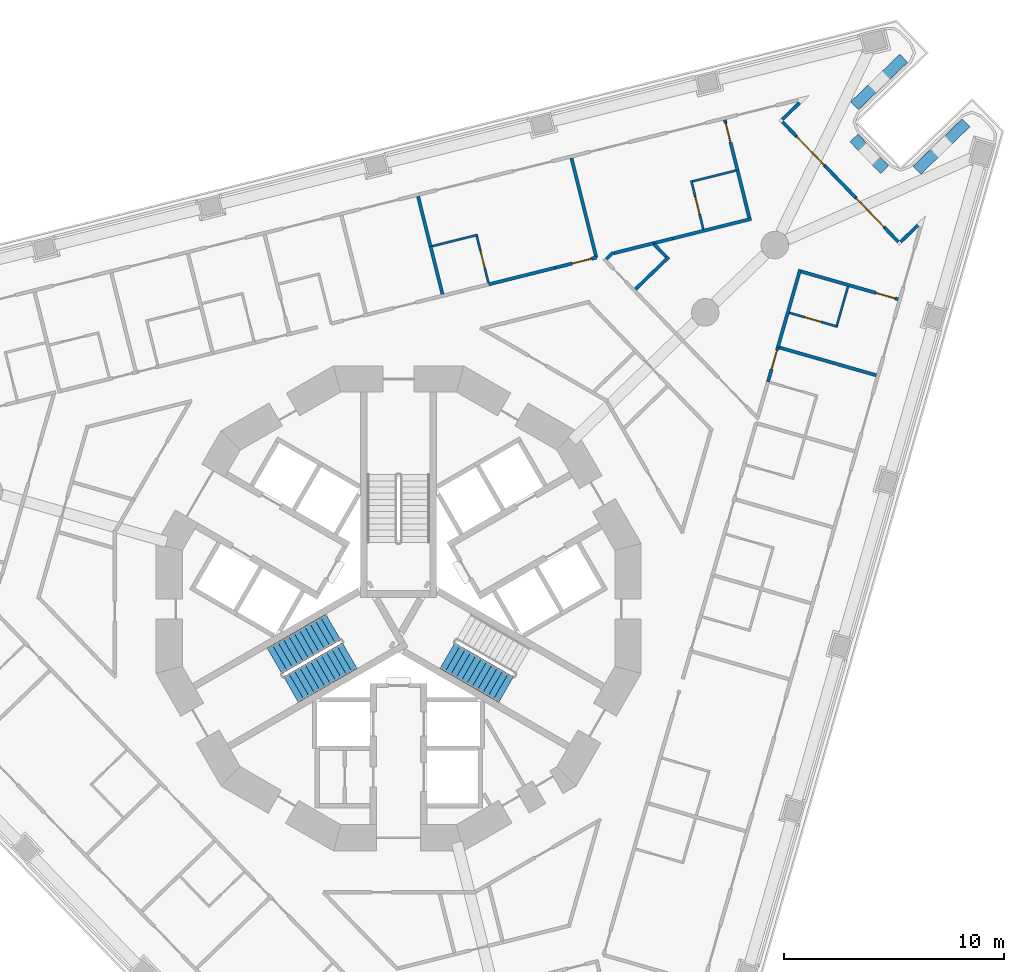
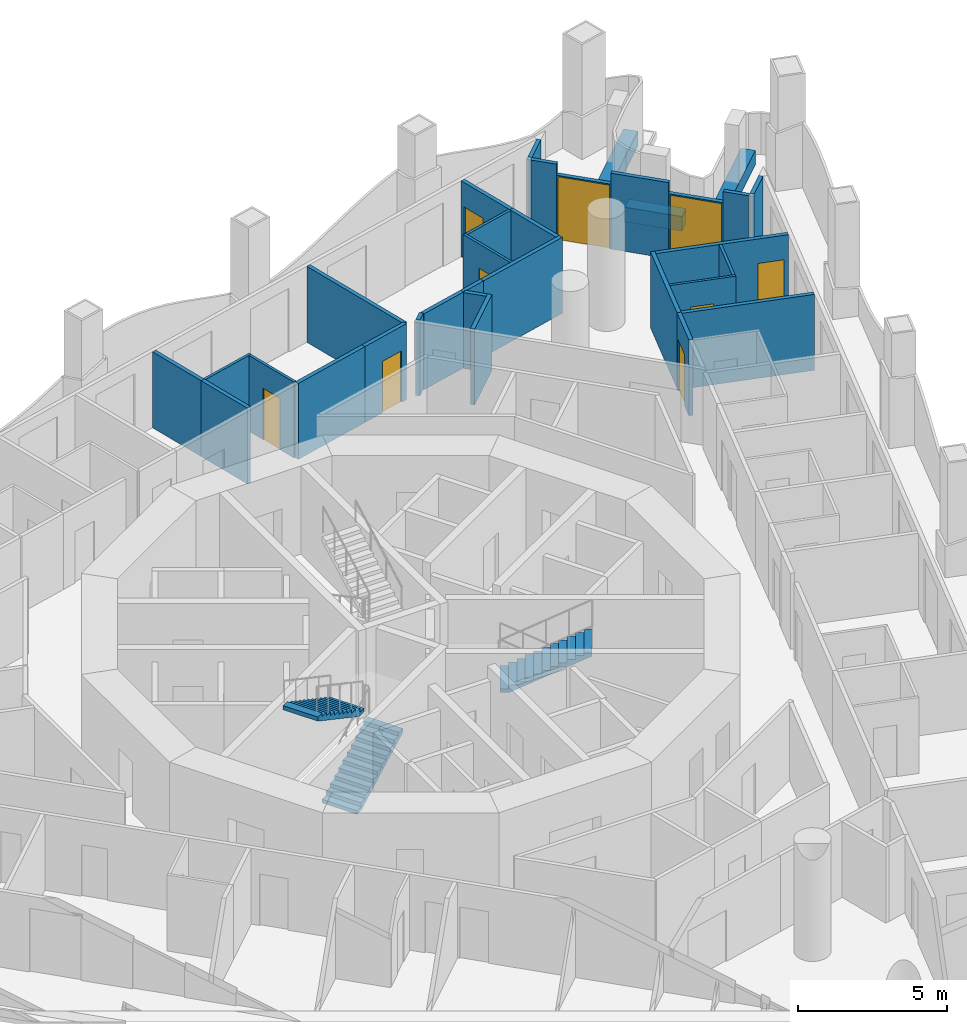
# One storey, part 11 of 20: 33 walls, 9 doors, 3 stair flights, 9 openings, 2 elements without a shape of their own.
"""IFC4 building model written with IfcOpenShell, lengths in metres."""

from ifc_helpers import new_model, si_unit, direction, frame, frame_2d, origin, place, context, subcontext, project, spatial, polyline, rectangle, outline, extrude, material, layer, layer_set, type_object, element, fill, aggregate, save


model = new_model("IFC4")

# Units and contexts
model_context = context("Model", 3, precision=1e-05, world=origin(), true_north=direction((0.0, 1.0)))
body_context = subcontext(model_context, "Body", "Model", "MODEL_VIEW")
ifc_project = project(units=[si_unit("LENGTHUNIT", "METRE"), si_unit("AREAUNIT", "SQUARE_METRE"), si_unit("VOLUMEUNIT", "CUBIC_METRE"), si_unit("PLANEANGLEUNIT", "RADIAN"), si_unit("MASSUNIT", "GRAM", prefix="KILO")], contexts=[model_context])

# Site, building, storey
site_placement = place(None, origin())
site = spatial("IfcSite", under=ifc_project, at=site_placement, CompositionType="ELEMENT")
building_placement = place(site_placement, origin())
building = spatial("IfcBuilding", under=site, at=building_placement, Name="Trine Commons Tower", CompositionType="ELEMENT")
storey_placement = place(building_placement, frame((0.0, 0.0, 116.10009765625)))
storey = spatial("IfcBuildingStorey", under=building, at=storey_placement, Name="L29", CompositionType="ELEMENT", Elevation=116.10009765625)

# Walls
ifc_material_1 = material(Name="Aluminium-framed insulated wall panel", Category="aluminium")
ifc_layer_1 = layer(ifc_material_1, 0.14990234375)
ifc_layer_set_1 = layer_set([ifc_layer_1], Name="Aluminium-framed insulated wall panel")
wall_type_1 = type_object("IfcWallType", Name="Glazed frame wall 150, EI 60", PredefinedType="SOLIDWALL", material=ifc_layer_set_1)
wall_1_placement = place(storey_placement, frame((98.3076171875, 85.552490234375, 0.0), z_axis=(0.0, 0.0, 1.0), x_axis=(-0.719251336278, -0.694749966004, 0.0)))
element("IfcWall", 1, at=wall_1_placement, inside=storey, type_object=wall_type_1, Name="Glazed frame wall R5", PredefinedType="SOLIDWALL", context=body_context, shape_type="SweptSolid", body=[
    extrude(outline(polyline([(0.1494140625, 0.074951171875), (0.1494140625, -0.074951171875), (1.235107421875, -0.074951171875), (1.235107421875, 0.074951171875), (0.1494140625, 0.074951171875)])), origin(), (0.0, 0.0, 1.0), 3.099853515625),
])
wall_2_placement = place(storey_placement, frame((97.3408203125, 84.66748046875, 0.0), z_axis=(0.0, 0.0, 1.0), x_axis=(0.694668587965, -0.719329933267, 0.0)))
element("IfcWall", 2, at=wall_2_placement, inside=storey, type_object=wall_type_1, Name="Glazed frame wall P2.1", PredefinedType="SOLIDWALL", context=body_context, shape_type="SweptSolid", body=[
    extrude(outline(polyline([(0.110107421875, -0.074951171875), (1.0, -0.074951171875), (1.0, 0.074951171875), (0.110107421875, 0.074951171875), (0.110107421875, -0.074951171875)])), origin(), (0.0, 0.0, 1.0), 3.099853515625),
])

# Wall, opening, door
wall_3_placement = place(storey_placement, frame((98.035400390625, 83.9482421875, 0.0), z_axis=(0.0, 0.0, 1.0), x_axis=(0.694665586762, -0.719332831566, 0.0)))
wall_3 = element("IfcWall", 3, at=wall_3_placement, inside=storey, type_object=wall_type_1, Name="Glazed frame wall P2.2", PredefinedType="SOLIDWALL", context=body_context, shape_type="SweptSolid", body=[
    extrude(outline(polyline([(0.0, -0.074951171875), (1.89990234375, -0.074951171875), (1.89990234375, 0.074951171875), (0.0, 0.074951171875), (0.0, -0.074951171875)])), origin(), (0.0, 0.0, 1.0), 2.64990234375),
])
opening_1_placement = place(wall_3_placement, frame((0.050048828125, 0.0, 0.0)))
opening_1 = element("IfcOpeningElement", 4, at=opening_1_placement, cuts=wall_3, Name="Opening BD-3P2-01", PredefinedType="OPENING", context=body_context, shape_type="SweptSolid", body=[
    extrude(rectangle(XDim=1.800048828125, YDim=2.60009765625, at=frame_2d((0.89990234375, 1.300048828125))), frame((0.0, 0.0849609375, 0.0), z_axis=(0.0, -1.0, 0.0), x_axis=(1.0, 0.0, 0.0)), (0.0, 0.0, 1.0), 0.169921875),
])
ifc_material_2 = material(Name="Anodised aluminium frame with double glazing", Category="aluminium")
door_type_1 = type_object("IfcDoorType", Name="Sliding loggia door 1800x2600", OperationType="SLIDING_TO_LEFT", PredefinedType="DOOR", material=ifc_material_2)
door_1_placement = place(opening_1_placement, origin())
door_1 = element("IfcDoor", 5, at=door_1_placement, inside=storey, type_object=door_type_1, Name="Loggia door P2 1", OperationType="SLIDING_TO_LEFT", OverallHeight=2.60009765625, OverallWidth=1.800048828125, PredefinedType="DOOR", context=body_context, shape_type="SweptSolid", body=[
    extrude(rectangle(XDim=1.800048828125, YDim=2.60009765625, at=frame_2d((0.89990234375, 1.300048828125))), frame((0.0, 0.02490234375, 0.0), z_axis=(0.0, -1.0, 0.0), x_axis=(1.0, 0.0, 0.0)), (0.0, 0.0, 1.0), 0.050048828125),
])
fill(opening_1, door_1)

# Wall
wall_4_placement = place(storey_placement, frame((99.35546875, 82.581298828125, 0.0), z_axis=(0.0, 0.0, 1.0), x_axis=(0.694668587965, -0.719329933267, 0.0)))
element("IfcWall", 6, at=wall_4_placement, inside=storey, type_object=wall_type_1, Name="Glazed frame wall P2.3", PredefinedType="SOLIDWALL", context=body_context, shape_type="SweptSolid", body=[
    extrude(outline(polyline([(0.0, -0.074951171875), (2.0, -0.074951171875), (2.0, 0.074951171875), (0.0, 0.074951171875), (0.0, -0.074951171875)])), origin(), (0.0, 0.0, 1.0), 3.099853515625),
])

# Wall, opening, door
wall_5_placement = place(storey_placement, frame((100.74462890625, 81.142822265625, 0.0), z_axis=(0.0, 0.0, 1.0), x_axis=(0.694599099672, -0.719397032753, 0.0)))
wall_5 = element("IfcWall", 7, at=wall_5_placement, inside=storey, type_object=wall_type_1, Name="Glazed frame wall P2.4", PredefinedType="SOLIDWALL", context=body_context, shape_type="SweptSolid", body=[
    extrude(outline(polyline([(0.0, -0.074951171875), (1.89990234375, -0.074951171875), (1.89990234375, 0.074951171875), (0.0, 0.074951171875), (0.0, -0.074951171875)])), origin(), (0.0, 0.0, 1.0), 2.64990234375),
])
opening_2_placement = place(wall_5_placement, frame((0.050048828125, 0.0, 0.0)))
opening_2 = element("IfcOpeningElement", 8, at=opening_2_placement, cuts=wall_5, Name="Opening BD-3P2-02", PredefinedType="OPENING", context=body_context, shape_type="SweptSolid", body=[
    extrude(rectangle(XDim=1.800048828125, YDim=2.60009765625, at=frame_2d((0.89990234375, 1.300048828125))), frame((0.0, 0.0849609375, 0.0), z_axis=(0.0, -1.0, 0.0), x_axis=(1.0, 0.0, 0.0)), (0.0, 0.0, 1.0), 0.169921875),
])
door_2_placement = place(opening_2_placement, origin())
door_2 = element("IfcDoor", 9, at=door_2_placement, inside=storey, type_object=door_type_1, Name="Loggia door P2 2", OperationType="SLIDING_TO_LEFT", OverallHeight=2.60009765625, OverallWidth=1.800048828125, PredefinedType="DOOR", context=body_context, shape_type="SweptSolid", body=[
    extrude(rectangle(XDim=1.800048828125, YDim=2.60009765625, at=frame_2d((0.89990234375, 1.300048828125))), frame((0.0, 0.02490234375, 0.0), z_axis=(0.0, -1.0, 0.0), x_axis=(1.0, 0.0, 0.0)), (0.0, 0.0, 1.0), 0.050048828125),
])
fill(opening_2, door_2)

# Walls
wall_6_placement = place(storey_placement, frame((102.064453125, 79.77587890625, 0.0), z_axis=(0.0, 0.0, 1.0), x_axis=(0.694794898962, -0.719207931252, 0.0)))
element("IfcWall", 10, at=wall_6_placement, inside=storey, type_object=wall_type_1, Name="Glazed frame wall P2.5", PredefinedType="SOLIDWALL", context=body_context, shape_type="SweptSolid", body=[
    extrude(outline(polyline([(0.889892578125, 0.074951171875), (0.0, 0.074951171875), (0.0, -0.074951171875), (0.889892578125, -0.074951171875), (0.889892578125, 0.074951171875)])), origin(), (0.0, 0.0, 1.0), 3.099853515625),
])
wall_7_placement = place(storey_placement, frame((102.709716796875, 79.0576171875, 0.0), z_axis=(0.0, 0.0, 1.0), x_axis=(0.719342032924, 0.694656058542, 0.0)))
element("IfcWall", 11, at=wall_7_placement, inside=storey, type_object=wall_type_1, Name="Glazed frame wall R7", PredefinedType="SOLIDWALL", context=body_context, shape_type="SweptSolid", body=[
    extrude(outline(polyline([(0.110107421875, 0.074951171875), (0.110107421875, -0.074951171875), (1.19580078125, -0.074951171875), (1.19580078125, 0.074951171875), (0.110107421875, 0.074951171875)])), origin(), (0.0, 0.0, 1.0), 3.099853515625),
])
ifc_material_3 = material(Name="Planter trough, precast concrete C40/50", Category="concrete")
ifc_layer_2 = layer(ifc_material_3, 0.5)
ifc_layer_set_2 = layer_set([ifc_layer_2], Name="Planter trough, precast concrete C40/50")
wall_type_2 = type_object("IfcWallType", Name="Planter trough 500x600", PredefinedType="PARAPET", material=ifc_layer_set_2)
wall_8_placement = place(storey_placement, frame((102.923828125, 87.47314453125, 0.0), z_axis=(0.0, 0.0, 1.0), x_axis=(-0.719324109218, -0.694674618723, 0.0)))
element("IfcWall", 12, at=wall_8_placement, inside=storey, type_object=wall_type_2, Name="Planter 4", PredefinedType="PARAPET", context=body_context, shape_type="SweptSolid", body=[
    extrude(rectangle(XDim=3.10009765625, YDim=0.5, at=frame_2d((1.550048828125, 0.0))), origin(), (0.0, 0.0, 1.0), 0.599853515625),
])
wall_9_placement = place(storey_placement, frame((100.668212890625, 83.84912109375, 0.0), z_axis=(0.0, 0.0, 1.0), x_axis=(0.694731751498, -0.719268929859, 0.0)))
element("IfcWall", 13, at=wall_9_placement, inside=storey, type_object=wall_type_2, Name="Planter 5", PredefinedType="PARAPET", context=body_context, shape_type="SweptSolid", body=[
    extrude(rectangle(XDim=2.0, YDim=0.5, at=frame_2d((1.0, 0.0))), origin(), (0.0, 0.0, 1.0), 0.599853515625),
])
wall_10_placement = place(storey_placement, frame((103.528076171875, 82.385009765625, 0.0), z_axis=(0.0, 0.0, 1.0), x_axis=(0.719363462475, 0.694633866765, 0.0)))
element("IfcWall", 14, at=wall_10_placement, inside=storey, type_object=wall_type_2, Name="Planter 6", PredefinedType="PARAPET", context=body_context, shape_type="SweptSolid", body=[
    extrude(rectangle(XDim=3.099853515625, YDim=0.5, at=frame_2d((1.5498046875, 0.0))), origin(), (0.0, 0.0, 1.0), 0.599853515625),
])
ifc_material_4 = material(Name="Gypsum plasterboard on steel stud", Category="steel")
ifc_layer_3 = layer(ifc_material_4, 0.14990234375)
ifc_layer_set_3 = layer_set([ifc_layer_3], Name="Gypsum plasterboard on steel stud")
wall_type_3 = type_object("IfcWallType", Name="Unit and corridor wall 150 mm, EI 60", PredefinedType="PARTITIONING", material=ifc_layer_set_3)
wall_11_placement = place(storey_placement, frame((80.8857421875, 81.1982421875, 0.0), z_axis=(0.0, 0.0, 1.0), x_axis=(0.242047152862, -0.970264487545, 0.0)))
element("IfcWall", 15, at=wall_11_placement, inside=storey, type_object=wall_type_3, Name="Partition 072", PredefinedType="PARTITIONING", context=body_context, shape_type="SweptSolid", body=[
    extrude(rectangle(XDim=2.35205078125, YDim=0.14990234375, at=frame_2d((1.176025390625, 0.0))), origin(), (0.0, 0.0, 1.0), 3.099853515625),
])
wall_12_placement = place(storey_placement, frame((81.452880859375, 78.924072265625, 0.0), z_axis=(0.0, 0.0, 1.0), x_axis=(0.241891147117, -0.970303392216, 0.0)))
element("IfcWall", 16, at=wall_12_placement, inside=storey, type_object=wall_type_3, Name="Partition 076", PredefinedType="PARTITIONING", context=body_context, shape_type="SweptSolid", body=[
    extrude(rectangle(XDim=2.228515625, YDim=0.14990234375, at=frame_2d((1.1142578125, 0.0))), origin(), (0.0, 0.0, 1.0), 3.099853515625),
])
wall_13_placement = place(storey_placement, frame((84.092041015625, 77.2080078125, 0.0), z_axis=(0.0, 0.0, 1.0), x_axis=(0.970276558839, 0.24199875902, 0.0)))
element("IfcWall", 17, at=wall_13_placement, inside=storey, type_object=wall_type_3, Name="Partition 087", PredefinedType="PARTITIONING", context=body_context, shape_type="SweptSolid", body=[
    extrude(rectangle(XDim=3.103271484375, YDim=0.14990234375, at=frame_2d((1.5517578125, 0.0))), origin(), (0.0, 0.0, 1.0), 3.099853515625),
])

# Wall, opening, door
wall_14_placement = place(storey_placement, frame((87.10302734375, 77.958984375, 0.0), z_axis=(0.0, 0.0, 1.0), x_axis=(0.970439241323, 0.241345559105, 0.0)))
wall_14 = element("IfcWall", 18, at=wall_14_placement, inside=storey, type_object=wall_type_3, Name="Partition 097", PredefinedType="PARTITIONING", context=body_context, shape_type="SweptSolid", body=[
    extrude(rectangle(XDim=1.93115234375, YDim=0.14990234375, at=frame_2d((0.965576171875, 0.0))), origin(), (0.0, 0.0, 1.0), 3.099853515625),
])
opening_3_placement = place(wall_14_placement, frame((0.804443359375, 0.0, 0.0)))
opening_3 = element("IfcOpeningElement", 19, at=opening_3_placement, cuts=wall_14, Name="Opening D-3C14", PredefinedType="OPENING", context=body_context, shape_type="SweptSolid", body=[
    extrude(rectangle(XDim=0.89990234375, YDim=2.10009765625, at=frame_2d((0.449951171875, 1.050048828125))), frame((0.0, 0.0849609375, 0.0), z_axis=(0.0, -1.0, 0.0), x_axis=(1.0, 0.0, 0.0)), (0.0, 0.0, 1.0), 0.169921875),
])
ifc_material_5 = material(Name="Timber fire door set", Category="wood")
door_type_2 = type_object("IfcDoorType", Name="Bedroom door 900 x 2100, FD30S", OperationType="NOTDEFINED", PredefinedType="DOOR", material=ifc_material_5)
door_3_placement = place(opening_3_placement, origin())
door_3 = element("IfcDoor", 20, at=door_3_placement, inside=storey, type_object=door_type_2, Name="Door D-3C14", OperationType="SINGLE_SWING_RIGHT", OverallHeight=2.10009765625, OverallWidth=0.89990234375, PredefinedType="DOOR", context=body_context, shape_type="SweptSolid", body=[
    extrude(rectangle(XDim=0.89990234375, YDim=2.10009765625, at=frame_2d((0.449951171875, 1.050048828125))), frame((0.0, 0.02490234375, 0.0), z_axis=(0.0, -1.0, 0.0), x_axis=(1.0, 0.0, 0.0)), (0.0, 0.0, 1.0), 0.050048828125),
])
fill(opening_3, door_3)

# Walls
wall_15_placement = place(storey_placement, frame((87.8486328125, 82.93408203125, 0.0), z_axis=(0.0, 0.0, 1.0), x_axis=(0.24192986462, -0.970293739341, 0.0)))
element("IfcWall", 21, at=wall_15_placement, inside=storey, type_object=wall_type_3, Name="Partition 103", PredefinedType="PARTITIONING", context=body_context, shape_type="SweptSolid", body=[
    extrude(rectangle(XDim=4.64697265625, YDim=0.14990234375, at=frame_2d((2.323486328125, 0.0))), origin(), (0.0, 0.0, 1.0), 3.099853515625),
])
wall_16_placement = place(storey_placement, frame((89.431884765625, 78.354248046875, 0.0), z_axis=(0.0, 0.0, 1.0), x_axis=(0.71857486408, 0.695449613352, 0.0)))
element("IfcWall", 22, at=wall_16_placement, inside=storey, type_object=wall_type_3, Name="Partition 113", PredefinedType="PARTITIONING", context=body_context, shape_type="SweptSolid", body=[
    extrude(rectangle(XDim=0.432861328125, YDim=0.14990234375, at=frame_2d((0.21630859375, 0.0))), origin(), (0.0, 0.0, 1.0), 3.099853515625),
])
wall_17_placement = place(storey_placement, frame((89.76171875, 78.62109375, 0.0), z_axis=(0.0, 0.0, 1.0), x_axis=(0.970212352615, 0.242256043958, 0.0)))
element("IfcWall", 23, at=wall_17_placement, inside=storey, type_object=wall_type_3, Name="Partition 116", PredefinedType="PARTITIONING", context=body_context, shape_type="SweptSolid", body=[
    extrude(rectangle(XDim=1.849365234375, YDim=0.14990234375, at=frame_2d((0.9248046875, 0.0))), origin(), (0.0, 0.0, 1.0), 3.099853515625),
])
wall_18_placement = place(storey_placement, frame((90.751953125, 76.987060546875, 0.0), z_axis=(0.0, 0.0, 1.0), x_axis=(0.719152982376, 0.694851774079, 0.0)))
element("IfcWall", 24, at=wall_18_placement, inside=storey, type_object=wall_type_3, Name="Partition 120", PredefinedType="PARTITIONING", context=body_context, shape_type="SweptSolid", body=[
    extrude(rectangle(XDim=2.099609375, YDim=0.14990234375, at=frame_2d((1.0498046875, 0.0))), origin(), (0.0, 0.0, 1.0), 3.099853515625),
])
wall_19_placement = place(storey_placement, frame((91.608154296875, 79.01513671875, 0.0), z_axis=(0.0, 0.0, 1.0), x_axis=(0.694771305492, -0.71923072311, 0.0)))
element("IfcWall", 25, at=wall_19_placement, inside=storey, type_object=wall_type_3, Name="Partition 123", PredefinedType="PARTITIONING", context=body_context, shape_type="SweptSolid", body=[
    extrude(rectangle(XDim=0.78857421875, YDim=0.14990234375, at=frame_2d((0.394287109375, 0.0))), origin(), (0.0, 0.0, 1.0), 3.099853515625),
])
wall_20_placement = place(storey_placement, frame((91.555908203125, 79.069091796875, 0.0), z_axis=(0.0, 0.0, 1.0), x_axis=(0.970312917643, 0.241852934351, 0.0)))
element("IfcWall", 26, at=wall_20_placement, inside=storey, type_object=wall_type_3, Name="Partition 124", PredefinedType="PARTITIONING", context=body_context, shape_type="SweptSolid", body=[
    extrude(rectangle(XDim=0.92578125, YDim=0.14990234375, at=frame_2d((0.462890625, 0.0))), origin(), (0.0, 0.0, 1.0), 3.099853515625),
])
wall_21_placement = place(storey_placement, frame((92.4541015625, 79.29296875, 0.0), z_axis=(0.0, 0.0, 1.0), x_axis=(0.970299100739, 0.241908360967, 0.0)))
element("IfcWall", 27, at=wall_21_placement, inside=storey, type_object=wall_type_3, Name="Partition 126", PredefinedType="PARTITIONING", context=body_context, shape_type="SweptSolid", body=[
    extrude(rectangle(XDim=3.66357421875, YDim=0.14990234375, at=frame_2d((1.831787109375, 0.0))), origin(), (0.0, 0.0, 1.0), 3.099853515625),
])

# Wall, opening, door
wall_22_placement = place(storey_placement, frame((94.811767578125, 84.671142578125, 0.0), z_axis=(0.0, 0.0, 1.0), x_axis=(0.24200944289, -0.97027389409, 0.0)))
wall_22 = element("IfcWall", 28, at=wall_22_placement, inside=storey, type_object=wall_type_3, Name="Partition 140", PredefinedType="PARTITIONING", context=body_context, shape_type="SweptSolid", body=[
    extrude(rectangle(XDim=2.40185546875, YDim=0.14990234375, at=frame_2d((1.200927734375, 0.0))), origin(), (0.0, 0.0, 1.0), 3.099853515625),
])
opening_4_placement = place(wall_22_placement, frame((0.14990234375, 0.0, 0.0)))
opening_4 = element("IfcOpeningElement", 29, at=opening_4_placement, cuts=wall_22, Name="Opening D-3C15", PredefinedType="OPENING", context=body_context, shape_type="SweptSolid", body=[
    extrude(rectangle(XDim=0.89990234375, YDim=2.10009765625, at=frame_2d((0.449951171875, 1.050048828125))), frame((0.0, 0.0849609375, 0.0), z_axis=(0.0, -1.0, 0.0), x_axis=(1.0, 0.0, 0.0)), (0.0, 0.0, 1.0), 0.169921875),
])
door_4_placement = place(opening_4_placement, frame((0.89990234375, 0.0, 0.0), z_axis=(0.0, 0.0, 1.0), x_axis=(-1.0, 0.0, 0.0)))
door_4 = element("IfcDoor", 30, at=door_4_placement, inside=storey, type_object=door_type_2, Name="Door D-3C15", OperationType="SINGLE_SWING_RIGHT", OverallHeight=2.10009765625, OverallWidth=0.89990234375, PredefinedType="DOOR", context=body_context, shape_type="SweptSolid", body=[
    extrude(rectangle(XDim=0.89990234375, YDim=2.10009765625, at=frame_2d((0.449951171875, 1.050048828125))), frame((0.0, 0.02490234375, 0.0), z_axis=(0.0, -1.0, 0.0), x_axis=(1.0, 0.0, 0.0)), (0.0, 0.0, 1.0), 0.050048828125),
])
fill(opening_4, door_4)

# Wall
wall_23_placement = place(storey_placement, frame((95.37890625, 82.39697265625, 0.0), z_axis=(0.0, 0.0, 1.0), x_axis=(0.241814032712, -0.970322613147, 0.0)))
element("IfcWall", 31, at=wall_23_placement, inside=storey, type_object=wall_type_3, Name="Partition 142", PredefinedType="PARTITIONING", context=body_context, shape_type="SweptSolid", body=[
    extrude(rectangle(XDim=2.229248046875, YDim=0.14990234375, at=frame_2d((1.11474609375, 0.0))), origin(), (0.0, 0.0, 1.0), 3.099853515625),
])

# Wall, opening, door
wall_24_placement = place(storey_placement, frame((96.764892578125, 72.781982421875, 0.0), z_axis=(0.0, 0.0, 1.0), x_axis=(0.275428171862, 0.961321653842, 0.0)))
wall_24 = element("IfcWall", 32, at=wall_24_placement, inside=storey, type_object=wall_type_3, Name="Partition 149", PredefinedType="PARTITIONING", context=body_context, shape_type="SweptSolid", body=[
    extrude(rectangle(XDim=1.6416015625, YDim=0.14990234375, at=frame_2d((0.82080078125, 0.0))), origin(), (0.0, 0.0, 1.0), 3.099853515625),
])
opening_5_placement = place(wall_24_placement, frame((0.591552734375, 0.0, 0.0)))
opening_5 = element("IfcOpeningElement", 33, at=opening_5_placement, cuts=wall_24, Name="Opening D-3C17", PredefinedType="OPENING", context=body_context, shape_type="SweptSolid", body=[
    extrude(rectangle(XDim=0.89990234375, YDim=2.10009765625, at=frame_2d((0.449951171875, 1.050048828125))), frame((0.0, 0.0849609375, 0.0), z_axis=(0.0, -1.0, 0.0), x_axis=(1.0, 0.0, 0.0)), (0.0, 0.0, 1.0), 0.169921875),
])
door_5_placement = place(opening_5_placement, frame((0.89990234375, 0.0, 0.0), z_axis=(0.0, 0.0, 1.0), x_axis=(-1.0, 0.0, 0.0)))
door_5 = element("IfcDoor", 34, at=door_5_placement, inside=storey, type_object=door_type_2, Name="Door D-3C17", OperationType="SINGLE_SWING_LEFT", OverallHeight=2.10009765625, OverallWidth=0.89990234375, PredefinedType="DOOR", context=body_context, shape_type="SweptSolid", body=[
    extrude(rectangle(XDim=0.89990234375, YDim=2.10009765625, at=frame_2d((0.449951171875, 1.050048828125))), frame((0.0, 0.02490234375, 0.0), z_axis=(0.0, -1.0, 0.0), x_axis=(1.0, 0.0, 0.0)), (0.0, 0.0, 1.0), 0.050048828125),
])
fill(opening_5, door_5)

# Walls
wall_25_placement = place(storey_placement, frame((97.217041015625, 74.360107421875, 0.0), z_axis=(0.0, 0.0, 1.0), x_axis=(0.275601093683, 0.961272093198, 0.0)))
element("IfcWall", 35, at=wall_25_placement, inside=storey, type_object=wall_type_3, Name="Partition 151", PredefinedType="PARTITIONING", context=body_context, shape_type="SweptSolid", body=[
    extrude(rectangle(XDim=3.663818359375, YDim=0.14990234375, at=frame_2d((1.83203125, 0.0))), origin(), (0.0, 0.0, 1.0), 3.099853515625),
])
wall_26_placement = place(storey_placement, frame((97.2890625, 74.33935546875, 0.0), z_axis=(0.0, 0.0, 1.0), x_axis=(0.961269673231, -0.275609534171, 0.0)))
element("IfcWall", 36, at=wall_26_placement, inside=storey, type_object=wall_type_3, Name="Partition 152", PredefinedType="PARTITIONING", context=body_context, shape_type="SweptSolid", body=[
    extrude(rectangle(XDim=4.572509765625, YDim=0.14990234375, at=frame_2d((2.2861328125, 0.0))), origin(), (0.0, 0.0, 1.0), 3.099853515625),
])

# Wall, opening, door
wall_27_placement = place(storey_placement, frame((98.278076171875, 77.789306640625, 0.0), z_axis=(0.0, 0.0, 1.0), x_axis=(0.961269673231, -0.275609534171, 0.0)))
wall_27 = element("IfcWall", 37, at=wall_27_placement, inside=storey, type_object=wall_type_3, Name="Partition 155", PredefinedType="PARTITIONING", context=body_context, shape_type="SweptSolid", body=[
    extrude(rectangle(XDim=4.572509765625, YDim=0.14990234375, at=frame_2d((2.2861328125, 0.0))), origin(), (0.0, 0.0, 1.0), 3.099853515625),
])
opening_6_placement = place(wall_27_placement, frame((3.522705078125, 0.0, 0.0)))
opening_6 = element("IfcOpeningElement", 38, at=opening_6_placement, cuts=wall_27, Name="Opening D-3C16", PredefinedType="OPENING", context=body_context, shape_type="SweptSolid", body=[
    extrude(rectangle(XDim=0.89990234375, YDim=2.10009765625, at=frame_2d((0.449951171875, 1.050048828125))), frame((0.0, 0.0849609375, 0.0), z_axis=(0.0, -1.0, 0.0), x_axis=(1.0, 0.0, 0.0)), (0.0, 0.0, 1.0), 0.169921875),
])
door_6_placement = place(opening_6_placement, frame((0.89990234375, 0.0, 0.0), z_axis=(0.0, 0.0, 1.0), x_axis=(-1.0, 0.0, 0.0)))
door_6 = element("IfcDoor", 39, at=door_6_placement, inside=storey, type_object=door_type_2, Name="Door D-3C16", OperationType="SINGLE_SWING_LEFT", OverallHeight=2.10009765625, OverallWidth=0.89990234375, PredefinedType="DOOR", context=body_context, shape_type="SweptSolid", body=[
    extrude(rectangle(XDim=0.89990234375, YDim=2.10009765625, at=frame_2d((0.449951171875, 1.050048828125))), frame((0.0, 0.02490234375, 0.0), z_axis=(0.0, -1.0, 0.0), x_axis=(1.0, 0.0, 0.0)), (0.0, 0.0, 1.0), 0.050048828125),
])
fill(opening_6, door_6)

# Wall
ifc_layer_4 = layer(ifc_material_4, 0.10009765625)
ifc_layer_set_4 = layer_set([ifc_layer_4], Name="Gypsum plasterboard on steel stud")
wall_type_4 = type_object("IfcWallType", Name="Unit partition 100 mm, no rating", PredefinedType="PARTITIONING", material=ifc_layer_set_4)
wall_28_placement = place(storey_placement, frame((81.52587890625, 78.938232421875, 0.0), z_axis=(0.0, 0.0, 1.0), x_axis=(0.970196545564, 0.242319340904, 0.0)))
element("IfcWall", 40, at=wall_28_placement, inside=storey, type_object=wall_type_4, Name="Partition 075", PredefinedType="PARTITIONING", context=body_context, shape_type="SweptSolid", body=[
    extrude(rectangle(XDim=2.124755859375, YDim=0.10009765625, at=frame_2d((1.0625, 0.0))), origin(), (0.0, 0.0, 1.0), 3.099853515625),
])

# Wall, opening, door
wall_29_placement = place(storey_placement, frame((83.551025390625, 79.392578125, 0.0), z_axis=(0.0, 0.0, 1.0), x_axis=(0.242165948891, -0.970234844353, 0.0)))
wall_29 = element("IfcWall", 41, at=wall_29_placement, inside=storey, type_object=wall_type_4, Name="Partition 082", PredefinedType="PARTITIONING", context=body_context, shape_type="SweptSolid", body=[
    extrude(rectangle(XDim=2.175537109375, YDim=0.10009765625, at=frame_2d((1.087890625, 0.0))), origin(), (0.0, 0.0, 1.0), 3.099853515625),
])
opening_7_placement = place(wall_29_placement, frame((0.687744140625, 0.0, 0.0)))
opening_7 = element("IfcOpeningElement", 42, at=opening_7_placement, cuts=wall_29, Name="Opening D-3C49", PredefinedType="OPENING", context=body_context, shape_type="SweptSolid", body=[
    extrude(rectangle(XDim=0.800048828125, YDim=2.10009765625, at=frame_2d((0.39990234375, 1.050048828125))), frame((0.0, 0.06005859375, 0.0), z_axis=(0.0, -1.0, 0.0), x_axis=(1.0, 0.0, 0.0)), (0.0, 0.0, 1.0), 0.1201171875),
])
ifc_material_6 = material(Name="Painted timber", Category="wood")
door_type_3 = type_object("IfcDoorType", Name="Internal door 800 x 2100, NOT RATED", OperationType="NOTDEFINED", PredefinedType="DOOR", material=ifc_material_6)
door_7_placement = place(opening_7_placement, origin())
door_7 = element("IfcDoor", 43, at=door_7_placement, inside=storey, type_object=door_type_3, Name="Door D-3C49", OperationType="SINGLE_SWING_RIGHT", OverallHeight=2.10009765625, OverallWidth=0.800048828125, PredefinedType="DOOR", context=body_context, shape_type="SweptSolid", body=[
    extrude(rectangle(XDim=0.800048828125, YDim=2.10009765625, at=frame_2d((0.39990234375, 1.050048828125))), frame((0.0, 0.02490234375, 0.0), z_axis=(0.0, -1.0, 0.0), x_axis=(1.0, 0.0, 0.0)), (0.0, 0.0, 1.0), 0.050048828125),
])
fill(opening_7, door_7)

wall_30_placement = place(storey_placement, frame((93.281982421875, 81.92041015625, 0.0), z_axis=(0.0, 0.0, 1.0), x_axis=(0.241777706381, -0.970331665307, 0.0)))
wall_30 = element("IfcWall", 44, at=wall_30_placement, inside=storey, type_object=wall_type_4, Name="Partition 132", PredefinedType="PARTITIONING", context=body_context, shape_type="SweptSolid", body=[
    extrude(rectangle(XDim=2.27392578125, YDim=0.10009765625, at=frame_2d((1.136962890625, 0.0))), origin(), (0.0, 0.0, 1.0), 3.099853515625),
])
opening_8_placement = place(wall_30_placement, frame((0.76220703125, 0.0, 0.0)))
opening_8 = element("IfcOpeningElement", 45, at=opening_8_placement, cuts=wall_30, Name="Opening D-3C50", PredefinedType="OPENING", context=body_context, shape_type="SweptSolid", body=[
    extrude(rectangle(XDim=0.800048828125, YDim=2.10009765625, at=frame_2d((0.39990234375, 1.050048828125))), frame((0.0, 0.06005859375, 0.0), z_axis=(0.0, -1.0, 0.0), x_axis=(1.0, 0.0, 0.0)), (0.0, 0.0, 1.0), 0.1201171875),
])
door_8_placement = place(opening_8_placement, frame((0.800048828125, 0.0, 0.0), z_axis=(0.0, 0.0, 1.0), x_axis=(-1.0, 0.0, 0.0)))
door_8 = element("IfcDoor", 46, at=door_8_placement, inside=storey, type_object=door_type_3, Name="Door D-3C50", OperationType="SINGLE_SWING_LEFT", OverallHeight=2.10009765625, OverallWidth=0.800048828125, PredefinedType="DOOR", context=body_context, shape_type="SweptSolid", body=[
    extrude(rectangle(XDim=0.800048828125, YDim=2.10009765625, at=frame_2d((0.39990234375, 1.050048828125))), frame((0.0, 0.02490234375, 0.0), z_axis=(0.0, -1.0, 0.0), x_axis=(1.0, 0.0, 0.0)), (0.0, 0.0, 1.0), 0.050048828125),
])
fill(opening_8, door_8)

# Wall
wall_31_placement = place(storey_placement, frame((93.342529296875, 81.884033203125, 0.0), z_axis=(0.0, 0.0, 1.0), x_axis=(0.970192124519, 0.242337041168, 0.0)))
element("IfcWall", 47, at=wall_31_placement, inside=storey, type_object=wall_type_4, Name="Partition 133", PredefinedType="PARTITIONING", context=body_context, shape_type="SweptSolid", body=[
    extrude(rectangle(XDim=2.02490234375, YDim=0.10009765625, at=frame_2d((1.012451171875, 0.0))), origin(), (0.0, 0.0, 1.0), 3.099853515625),
])

# Wall, opening, door
wall_32_placement = place(storey_placement, frame((97.7412109375, 75.914306640625, 0.0), z_axis=(0.0, 0.0, 1.0), x_axis=(0.961244019441, -0.27569899363, 0.0)))
wall_32 = element("IfcWall", 48, at=wall_32_placement, inside=storey, type_object=wall_type_4, Name="Partition 153", PredefinedType="PARTITIONING", context=body_context, shape_type="SweptSolid", body=[
    extrude(rectangle(XDim=2.27490234375, YDim=0.10009765625, at=frame_2d((1.137451171875, 0.0))), origin(), (0.0, 0.0, 1.0), 3.099853515625),
])
opening_9_placement = place(wall_32_placement, frame((0.71240234375, 0.0, 0.0)))
opening_9 = element("IfcOpeningElement", 49, at=opening_9_placement, cuts=wall_32, Name="Opening D-3C51", PredefinedType="OPENING", context=body_context, shape_type="SweptSolid", body=[
    extrude(rectangle(XDim=0.800048828125, YDim=2.10009765625, at=frame_2d((0.39990234375, 1.050048828125))), frame((0.0, 0.06005859375, 0.0), z_axis=(0.0, -1.0, 0.0), x_axis=(1.0, 0.0, 0.0)), (0.0, 0.0, 1.0), 0.1201171875),
])
door_9_placement = place(opening_9_placement, frame((0.800048828125, 0.0, 0.0), z_axis=(0.0, 0.0, 1.0), x_axis=(-1.0, 0.0, 0.0)))
door_9 = element("IfcDoor", 50, at=door_9_placement, inside=storey, type_object=door_type_3, Name="Door D-3C51", OperationType="SINGLE_SWING_RIGHT", OverallHeight=2.10009765625, OverallWidth=0.800048828125, PredefinedType="DOOR", context=body_context, shape_type="SweptSolid", body=[
    extrude(rectangle(XDim=0.800048828125, YDim=2.10009765625, at=frame_2d((0.39990234375, 1.050048828125))), frame((0.0, 0.02490234375, 0.0), z_axis=(0.0, -1.0, 0.0), x_axis=(1.0, 0.0, 0.0)), (0.0, 0.0, 1.0), 0.050048828125),
])
fill(opening_9, door_9)

# Wall
wall_33_placement = place(storey_placement, frame((99.893798828125, 75.34912109375, 0.0), z_axis=(0.0, 0.0, 1.0), x_axis=(0.275374633487, 0.961336991503, 0.0)))
element("IfcWall", 51, at=wall_33_placement, inside=storey, type_object=wall_type_4, Name="Partition 156", PredefinedType="PARTITIONING", context=body_context, shape_type="SweptSolid", body=[
    extrude(rectangle(XDim=1.825439453125, YDim=0.10009765625, at=frame_2d((0.91259765625, 0.0))), origin(), (0.0, 0.0, 1.0), 3.099853515625),
])

# Stair, stair flights
ifc_material_7 = material(Name="Concrete C50/60", Category="concrete")
stair_type = type_object("IfcStairType", Name="Exit stair, dog-leg, 24 risers of 150 mm", PredefinedType="HALF_TURN_STAIR", material=ifc_material_7)
stair_1_placement = place(storey_placement, origin())
stair_1 = element("IfcStair", 52, at=stair_1_placement, inside=storey, type_object=stair_type, Name="L29 Exit stair ST2A", PredefinedType="HALF_TURN_STAIR")
stair_flight_type = type_object("IfcStairFlightType", Name="Stair flight, 1350 wide, 12 risers of 150 mm", PredefinedType="STRAIGHT", material=ifc_material_7)
stair_flight_1_placement = place(storey_placement, frame((75.11767578125, 58.815185546875, 0.0), z_axis=(0.0, 0.0, 1.0), x_axis=(0.866025403784, 0.5, 0.0)))
stair_flight_1 = element("IfcStairFlight", 53, at=stair_flight_1_placement, type_object=stair_flight_type, Name="ST2A flight 1", NumberOfRisers=12, NumberOfTreads=11, PredefinedType="STRAIGHT", RiserHeight=0.15, TreadLength=0.28, context=body_context, shape_type="SweptSolid", body=[
    extrude(outline(polyline([(0.0, 0.0), (0.0, 0.14990234375), (0.280029296875, 0.14990234375), (0.280029296875, 0.300048828125), (0.56005859375, 0.300048828125), (0.56005859375, 0.449951171875), (0.840087890625, 0.449951171875), (0.840087890625, 0.60009765625), (1.1201171875, 0.60009765625), (1.1201171875, 0.75), (1.39990234375, 0.75), (1.39990234375, 0.89990234375), (1.679931640625, 0.89990234375), (1.679931640625, 1.050048828125), (1.9599609375, 1.050048828125), (1.9599609375, 1.199951171875), (2.239990234375, 1.199951171875), (2.239990234375, 1.35009765625), (2.52001953125, 1.35009765625), (2.52001953125, 1.5), (2.800048828125, 1.5), (2.800048828125, 1.64990234375), (3.080078125, 1.64990234375), (3.080078125, 1.800048828125), (3.080078125, 1.47998046875), (0.3173828125, 0.0), (0.0, 0.0)])), frame((0.0, 0.675048828125, 0.0), z_axis=(0.0, -1.0, 0.0), x_axis=(1.0, 0.0, 0.0)), (0.0, 0.0, 1.0), 1.35009765625),
])
stair_flight_2_placement = place(storey_placement, frame((77.03515625, 61.654296875, 1.7998046875), z_axis=(0.0, 0.0, 1.0), x_axis=(-0.866025403784, -0.5, 0.0)))
stair_flight_2 = element("IfcStairFlight", 54, at=stair_flight_2_placement, type_object=stair_flight_type, Name="ST2A flight 2", NumberOfRisers=12, NumberOfTreads=11, PredefinedType="STRAIGHT", RiserHeight=0.15, TreadLength=0.28, context=body_context, shape_type="SweptSolid", body=[
    extrude(outline(polyline([(0.0, 0.0), (0.0, 0.14990234375), (0.280029296875, 0.14990234375), (0.280029296875, 0.300048828125), (0.56005859375, 0.300048828125), (0.56005859375, 0.449951171875), (0.840087890625, 0.449951171875), (0.840087890625, 0.60009765625), (1.1201171875, 0.60009765625), (1.1201171875, 0.75), (1.39990234375, 0.75), (1.39990234375, 0.89990234375), (1.679931640625, 0.89990234375), (1.679931640625, 1.050048828125), (1.9599609375, 1.050048828125), (1.9599609375, 1.199951171875), (2.239990234375, 1.199951171875), (2.239990234375, 1.35009765625), (2.52001953125, 1.35009765625), (2.52001953125, 1.5), (2.800048828125, 1.5), (2.800048828125, 1.64990234375), (3.080078125, 1.64990234375), (3.080078125, 1.800048828125), (3.080078125, 1.47998046875), (0.3173828125, 0.0), (0.0, 0.0)])), frame((0.0, 0.675048828125, 0.0), z_axis=(0.0, -1.0, 0.0), x_axis=(1.0, 0.0, 0.0)), (0.0, 0.0, 1.0), 1.35009765625),
])
aggregate(stair_1, [stair_flight_1, stair_flight_2])

# Stair, stair flight
stair_2_placement = place(storey_placement, origin())
stair_2 = element("IfcStair", 55, at=stair_2_placement, inside=storey, type_object=stair_type, Name="L29 Exit stair ST3A", PredefinedType="HALF_TURN_STAIR")
stair_flight_3_placement = place(storey_placement, frame((82.21484375, 60.355224609375, 1.7998046875), z_axis=(0.0, 0.0, 1.0), x_axis=(0.866025403784, -0.5, 0.0)))
stair_flight_3 = element("IfcStairFlight", 56, at=stair_flight_3_placement, type_object=stair_flight_type, Name="ST3A flight 2", NumberOfRisers=12, NumberOfTreads=11, PredefinedType="STRAIGHT", RiserHeight=0.15, TreadLength=0.28, context=body_context, shape_type="SweptSolid", body=[
    extrude(outline(polyline([(0.0, 0.0), (0.0, 0.14990234375), (0.280029296875, 0.14990234375), (0.280029296875, 0.300048828125), (0.56005859375, 0.300048828125), (0.56005859375, 0.449951171875), (0.840087890625, 0.449951171875), (0.840087890625, 0.60009765625), (1.1201171875, 0.60009765625), (1.1201171875, 0.75), (1.39990234375, 0.75), (1.39990234375, 0.89990234375), (1.679931640625, 0.89990234375), (1.679931640625, 1.050048828125), (1.9599609375, 1.050048828125), (1.9599609375, 1.199951171875), (2.239990234375, 1.199951171875), (2.239990234375, 1.35009765625), (2.52001953125, 1.35009765625), (2.52001953125, 1.5), (2.800048828125, 1.5), (2.800048828125, 1.64990234375), (3.080078125, 1.64990234375), (3.080078125, 1.800048828125), (3.080078125, 1.47998046875), (0.3173828125, 0.0), (0.0, 0.0)])), frame((0.0, 0.675048828125, 0.0), z_axis=(0.0, -1.0, 0.0), x_axis=(1.0, 0.0, 0.0)), (0.0, 0.0, 1.0), 1.35009765625),
])
aggregate(stair_2, [stair_flight_3])

save(model, "model.ifc")
